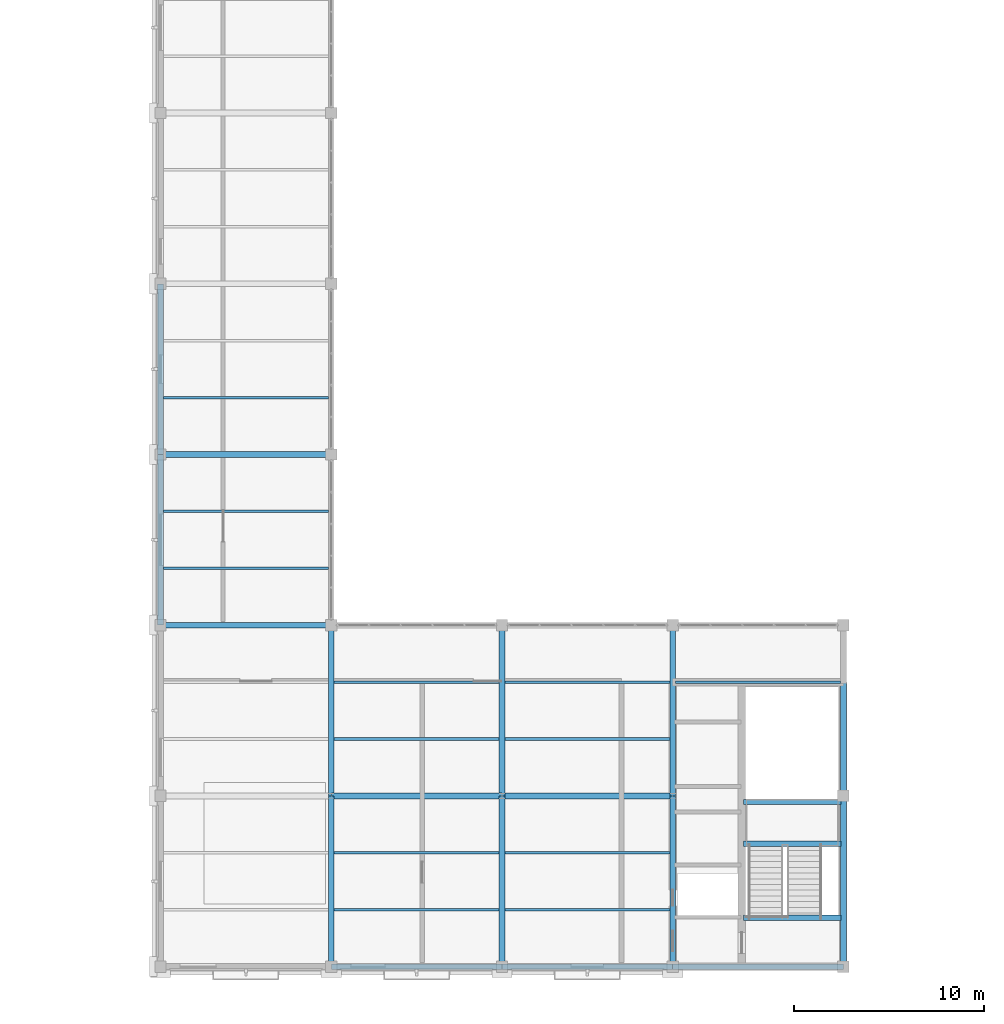
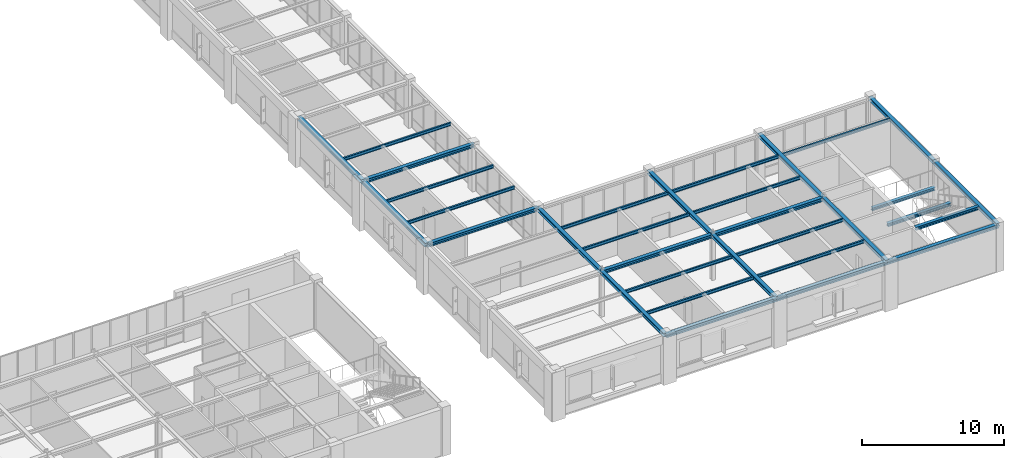
# One storey, part 44 of 130: 32 beams.
"""IFC4 building model written with IfcOpenShell, lengths in metres."""

from ifc_helpers import new_model, si_unit, direction, frame, origin, origin_2d, place, context, subcontext, project, spatial, i_section, extrude, material, material_profile, profile_set, type_object, element, save


model = new_model("IFC4")

# Units and contexts
model_context = context("Model", 3, precision=1e-05, world=origin(), true_north=direction((0.0, 1.0)))
body_context = subcontext(model_context, "Body", "Model", "MODEL_VIEW")
ifc_project = project(units=[si_unit("LENGTHUNIT", "METRE"), si_unit("AREAUNIT", "SQUARE_METRE"), si_unit("VOLUMEUNIT", "CUBIC_METRE"), si_unit("PLANEANGLEUNIT", "RADIAN"), si_unit("MASSUNIT", "GRAM", prefix="KILO")], contexts=[model_context])

# Site, building, storey
site_placement = place(None, origin())
site = spatial("IfcSite", under=ifc_project, at=site_placement, CompositionType="ELEMENT")
building_placement = place(site_placement, origin())
building = spatial("IfcBuilding", under=site, at=building_placement, Name="Lykobir Media Centre", CompositionType="ELEMENT")
storey_placement = place(building_placement, frame((0.0, 0.0, 19.199951171875)))
storey = spatial("IfcBuildingStorey", under=building, at=storey_placement, Name="L04", CompositionType="ELEMENT", Elevation=19.199951171875)

# Beams
ifc_material = material(Name="Steel S355", Category="steel")
ifc_material_profile_1 = material_profile(ifc_material, i_section(OverallWidth=0.300048828125, OverallDepth=0.2900390625, WebThickness=0.008544921875, FlangeThickness=0.013916015625, at=origin_2d()), Name="HEA 300")
ifc_profile_set_1 = profile_set([ifc_material_profile_1], Name="Steel S355")
beam_type_1 = type_object("IfcBeamType", Name="BM-HEA300", PredefinedType="BEAM", material=ifc_profile_set_1)
for number, where, z_axis, x_axis, name in (
    (1, (99.0, 0.0, 3.81494140625), (0.0, 1.0, 0.0), (-1.0, 0.0, 0.0), "Beam BM-L04-0990-0000-0990-0090-2302"),
    (2, (99.0, 9.0, 3.81494140625), (0.0, 1.0, 0.0), (-1.0, 0.0, 0.0), "Beam BM-L04-0990-0090-0990-0180-2302"),
    (3, (108.0, 0.0, 3.81494140625), (0.0, 1.0, 0.0), (-1.0, 0.0, 0.0), "Beam BM-L04-1080-0000-1080-0090-2302"),
    (4, (108.0, 9.0, 3.81494140625), (0.0, 1.0, 0.0), (-1.0, 0.0, 0.0), "Beam BM-L04-1080-0090-1080-0180-2302"),
    (5, (117.0, 0.0, 3.81494140625), (0.0, 1.0, 0.0), (-1.0, 0.0, 0.0), "Beam BM-L04-1170-0000-1170-0090-2302"),
    (6, (117.0, 9.0, 3.81494140625), (0.0, 1.0, 0.0), (-1.0, 0.0, 0.0), "Beam BM-L04-1170-0090-1170-0180-2302"),
    (7, (126.0, 0.0, 3.81494140625), (0.0, 1.0, 0.0), (-1.0, 0.0, 0.0), "Beam BM-L04-1260-0000-1260-0090-2302"),
    (8, (126.0, 9.0, 3.81494140625), (0.0, 1.0, 0.0), (-1.0, 0.0, 0.0), "Beam BM-L04-1260-0090-1260-0180-2302"),
):
    element("IfcBeam", number, at=place(storey_placement, frame(where, z_axis=z_axis, x_axis=x_axis)), inside=storey, type_object=beam_type_1, Name=name, PredefinedType="BEAM", context=body_context, shape_type="SweptSolid", body=[
        extrude(i_section(OverallWidth=0.300048828125, OverallDepth=0.2900390625, WebThickness=0.008544921875, FlangeThickness=0.013916015625, at=origin_2d()), origin(), (0.0, 0.0, 1.0), 9.0),
    ])
ifc_material_profile_2 = material_profile(ifc_material, i_section(OverallWidth=0.300048828125, OverallDepth=0.31005859375, WebThickness=0.009033203125, FlangeThickness=0.015380859375, at=origin_2d()), Name="HEA 320")
ifc_profile_set_2 = profile_set([ifc_material_profile_2], Name="Steel S355")
beam_type_2 = type_object("IfcBeamType", Name="BM-HEA320", PredefinedType="BEAM", material=ifc_profile_set_2)
for number, where, z_axis, x_axis, name in (
    (9, (99.0, 9.0, 3.804931640625), (1.0, 0.0, 0.0), (0.0, 1.0, 0.0), "Beam BM-L04-0990-0090-1080-0090-2300"),
    (10, (108.0, 9.0, 3.804931640625), (1.0, 0.0, 0.0), (0.0, 1.0, 0.0), "Beam BM-L04-1080-0090-1170-0090-2300"),
):
    element("IfcBeam", number, at=place(storey_placement, frame(where, z_axis=z_axis, x_axis=x_axis)), inside=storey, type_object=beam_type_2, Name=name, PredefinedType="BEAM", context=body_context, shape_type="SweptSolid", body=[
        extrude(i_section(OverallWidth=0.300048828125, OverallDepth=0.31005859375, WebThickness=0.009033203125, FlangeThickness=0.015380859375, at=origin_2d()), origin(), (0.0, 0.0, 1.0), 9.0),
    ])
ifc_material_profile_3 = material_profile(ifc_material, i_section(OverallWidth=0.260009765625, OverallDepth=0.25, WebThickness=0.007568359375, FlangeThickness=0.012451171875, at=origin_2d()), Name="HEA 260")
ifc_profile_set_3 = profile_set([ifc_material_profile_3], Name="Steel S355")
beam_type_3 = type_object("IfcBeamType", Name="BM-ST260", PredefinedType="BEAM", material=ifc_profile_set_3)
beam_placement = place(storey_placement, frame((120.72998046875, 8.679931640625, 1.7900390625), z_axis=(1.0, 0.0, 0.0), x_axis=(0.0, 1.0, 0.0)))
element("IfcBeam", 11, at=beam_placement, inside=storey, type_object=beam_type_3, Name="ST-5 L04 half-landing support beam", PredefinedType="BEAM", context=body_context, shape_type="SweptSolid", body=[
    extrude(i_section(OverallWidth=0.260009765625, OverallDepth=0.25, WebThickness=0.007568359375, FlangeThickness=0.012451171875, at=origin_2d()), origin(), (0.0, 0.0, 1.0), 5.14013671875),
])
ifc_material_profile_4 = material_profile(ifc_material, i_section(OverallWidth=0.280029296875, OverallDepth=0.27001953125, WebThickness=0.008056640625, FlangeThickness=0.012939453125, at=origin_2d()), Name="HEA 280")
ifc_profile_set_4 = profile_set([ifc_material_profile_4], Name="Steel S355")
beam_type_4 = type_object("IfcBeamType", Name="BM-ST280", PredefinedType="BEAM", material=ifc_profile_set_4)
for number, where, z_axis, x_axis, name in (
    (12, (120.72998046875, 2.580078125, 3.824951171875), (1.0, 0.0, 0.0), (0.0, 1.0, 0.0), "ST-5 L04 arrival trimmer beam"),
    (13, (120.72998046875, 6.47998046875, 1.780029296875), (1.0, 0.0, 0.0), (0.0, 1.0, 0.0), "ST-5 L04 mid-landing trimmer beam"),
):
    element("IfcBeam", number, at=place(storey_placement, frame(where, z_axis=z_axis, x_axis=x_axis)), inside=storey, type_object=beam_type_4, Name=name, PredefinedType="BEAM", context=body_context, shape_type="SweptSolid", body=[
        extrude(i_section(OverallWidth=0.280029296875, OverallDepth=0.27001953125, WebThickness=0.008056640625, FlangeThickness=0.012939453125, at=origin_2d()), origin(), (0.0, 0.0, 1.0), 5.14013671875),
    ])
ifc_material_profile_5 = material_profile(ifc_material, i_section(OverallWidth=0.135009765625, OverallDepth=0.27001953125, WebThickness=0.006591796875, FlangeThickness=0.01025390625, at=origin_2d()), Name="IPE 270")
ifc_profile_set_5 = profile_set([ifc_material_profile_5], Name="Steel S355")
beam_type_5 = type_object("IfcBeamType", Name="JS-IPE270", PredefinedType="JOIST", material=ifc_profile_set_5)
for number, where, z_axis, x_axis, name in (
    (14, (90.14990234375, 21.0, 3.824951171875), (1.0, 0.0, 0.0), (0.0, 1.0, 0.0), "Beam BM-L04-0902-0210-0988-0210-2302"),
    (15, (90.14990234375, 24.0, 3.824951171875), (1.0, 0.0, 0.0), (0.0, 1.0, 0.0), "Beam BM-L04-0902-0240-0988-0240-2302"),
    (16, (90.14990234375, 30.0, 3.824951171875), (1.0, 0.0, 0.0), (0.0, 1.0, 0.0), "Beam BM-L04-0902-0300-0988-0300-2302"),
    (17, (99.14990234375, 3.0, 3.824951171875), (1.0, 0.0, 0.0), (0.0, 1.0, 0.0), "Beam BM-L04-0992-0030-1078-0030-2302"),
    (18, (99.14990234375, 6.0, 3.824951171875), (1.0, 0.0, 0.0), (0.0, 1.0, 0.0), "Beam BM-L04-0992-0060-1078-0060-2302"),
    (19, (99.14990234375, 12.0, 3.824951171875), (1.0, 0.0, 0.0), (0.0, 1.0, 0.0), "Beam BM-L04-0992-0120-1078-0120-2302"),
    (20, (99.14990234375, 15.0, 3.824951171875), (1.0, 0.0, 0.0), (0.0, 1.0, 0.0), "Beam BM-L04-0992-0150-1078-0150-2302"),
    (21, (108.14990234375, 3.0, 3.824951171875), (1.0, 0.0, 0.0), (0.0, 1.0, 0.0), "Beam BM-L04-1082-0030-1168-0030-2302"),
    (22, (108.14990234375, 6.0, 3.824951171875), (1.0, 0.0, 0.0), (0.0, 1.0, 0.0), "Beam BM-L04-1082-0060-1168-0060-2302"),
    (23, (108.14990234375, 12.0, 3.824951171875), (1.0, 0.0, 0.0), (0.0, 1.0, 0.0), "Beam BM-L04-1082-0120-1168-0120-2302"),
    (24, (108.14990234375, 15.0, 3.824951171875), (1.0, 0.0, 0.0), (0.0, 1.0, 0.0), "Beam BM-L04-1082-0150-1168-0150-2302"),
    (25, (117.14990234375, 15.0, 3.824951171875), (1.0, 0.0, 0.0), (0.0, 1.0, 0.0), "Beam BM-L04-1172-0150-1258-0150-2302"),
):
    element("IfcBeam", number, at=place(storey_placement, frame(where, z_axis=z_axis, x_axis=x_axis)), inside=storey, type_object=beam_type_5, Name=name, PredefinedType="JOIST", context=body_context, shape_type="SweptSolid", body=[
        extrude(i_section(OverallWidth=0.135009765625, OverallDepth=0.27001953125, WebThickness=0.006591796875, FlangeThickness=0.01025390625, at=origin_2d()), origin(), (0.0, 0.0, 1.0), 8.7001953125),
    ])
ifc_material_profile_6 = material_profile(ifc_material, i_section(OverallWidth=0.300048828125, OverallDepth=0.31005859375, WebThickness=0.009033203125, FlangeThickness=0.015380859375, at=origin_2d()), Name="HEA 320")
ifc_profile_set_6 = profile_set([ifc_material_profile_6], Name="Steel S355")
beam_type_6 = type_object("IfcBeamType", Name="SP-HEA320", PredefinedType="SPANDREL", material=ifc_profile_set_6)
for number, where, z_axis, x_axis, name in (
    (26, (90.0, 18.0, 3.804931640625), (1.0, 0.0, 0.0), (0.0, 1.0, 0.0), "Beam BM-L04-0900-0180-0990-0180-2300"),
    (27, (90.0, 27.0, 3.804931640625), (1.0, 0.0, 0.0), (0.0, 1.0, 0.0), "Beam BM-L04-0900-0270-0990-0270-2300"),
):
    element("IfcBeam", number, at=place(storey_placement, frame(where, z_axis=z_axis, x_axis=x_axis)), inside=storey, type_object=beam_type_6, Name=name, PredefinedType="SPANDREL", context=body_context, shape_type="SweptSolid", body=[
        extrude(i_section(OverallWidth=0.300048828125, OverallDepth=0.31005859375, WebThickness=0.009033203125, FlangeThickness=0.015380859375, at=origin_2d()), origin(), (0.0, 0.0, 1.0), 9.0),
    ])
ifc_material_profile_7 = material_profile(ifc_material, i_section(OverallWidth=0.300048828125, OverallDepth=0.31005859375, WebThickness=0.009033203125, FlangeThickness=0.015380859375, at=origin_2d()), Name="HEA 320")
ifc_profile_set_7 = profile_set([ifc_material_profile_7], Name="Steel S355")
beam_type_7 = type_object("IfcBeamType", Name="SP-HEA320-E", PredefinedType="SPANDREL", material=ifc_profile_set_7)
for number, where, z_axis, x_axis, name in (
    (28, (99.0, 0.0, 3.804931640625), (1.0, 0.0, 0.0), (0.0, 1.0, 0.0), "Beam BM-L04-0990-0000-1080-0000-2300"),
    (29, (108.0, 0.0, 3.804931640625), (1.0, 0.0, 0.0), (0.0, 1.0, 0.0), "Beam BM-L04-1080-0000-1170-0000-2300"),
    (30, (117.0, 0.0, 3.804931640625), (1.0, 0.0, 0.0), (0.0, 1.0, 0.0), "Beam BM-L04-1170-0000-1260-0000-2300"),
    (31, (90.0, 18.0, 3.804931640625), (0.0, 1.0, 0.0), (-1.0, 0.0, 0.0), "Beam BM-L04-0900-0180-0900-0270-2300"),
    (32, (90.0, 27.0, 3.804931640625), (0.0, 1.0, 0.0), (-1.0, 0.0, 0.0), "Beam BM-L04-0900-0270-0900-0360-2300"),
):
    element("IfcBeam", number, at=place(storey_placement, frame(where, z_axis=z_axis, x_axis=x_axis)), inside=storey, type_object=beam_type_7, Name=name, PredefinedType="SPANDREL", context=body_context, shape_type="SweptSolid", body=[
        extrude(i_section(OverallWidth=0.300048828125, OverallDepth=0.31005859375, WebThickness=0.009033203125, FlangeThickness=0.015380859375, at=origin_2d()), origin(), (0.0, 0.0, 1.0), 9.0),
    ])

save(model, "model.ifc")
